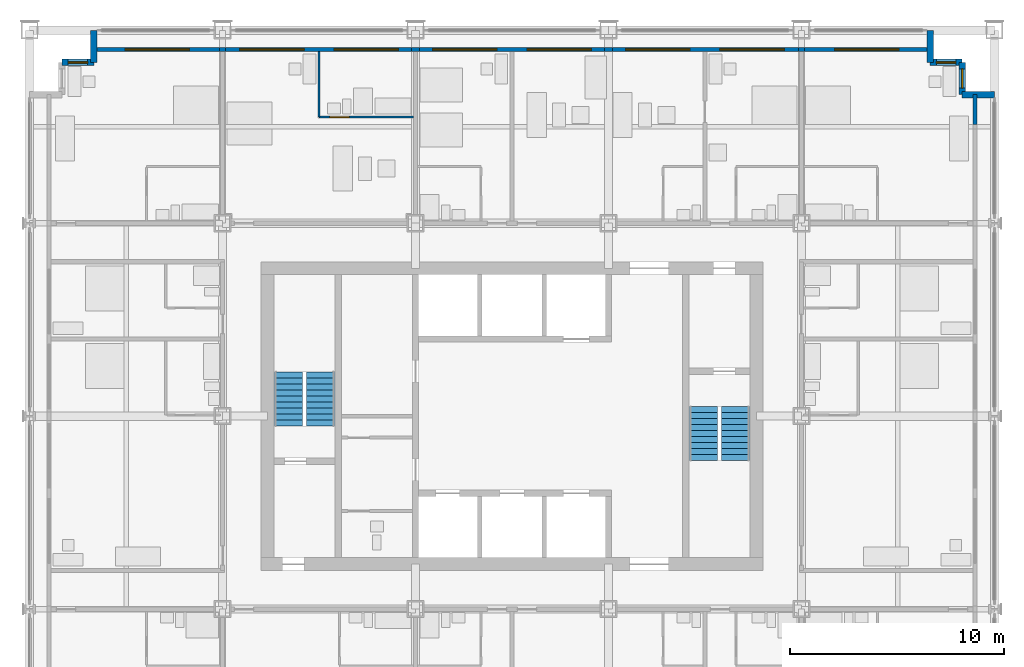
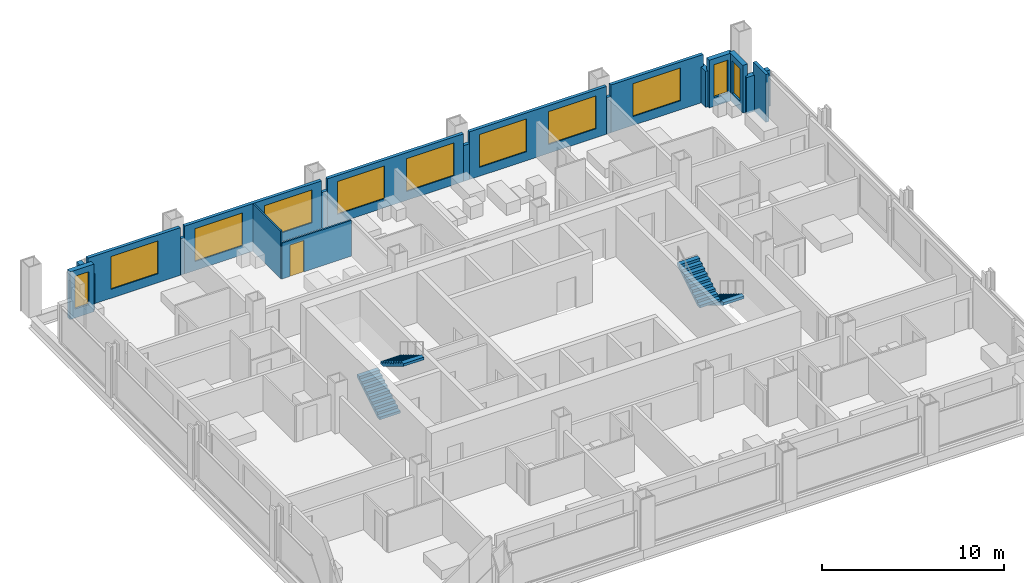
# One storey, part 13 of 16: 18 walls, 11 windows, 4 stair flights, 1 door, 12 openings, 2 elements without a shape of their own.
"""IFC4 building model written with IfcOpenShell, lengths in metres."""

from ifc_helpers import new_model, si_unit, direction, frame, frame_2d, origin, place, context, subcontext, project, spatial, polyline, rectangle, outline, extrude, material, layer, layer_set, type_object, element, fill, aggregate, save


model = new_model("IFC4")

# Units and contexts
model_context = context("Model", 3, precision=1e-05, world=origin(), true_north=direction((0.0, 1.0)))
body_context = subcontext(model_context, "Body", "Model", "MODEL_VIEW")
ifc_project = project(units=[si_unit("LENGTHUNIT", "METRE"), si_unit("AREAUNIT", "SQUARE_METRE"), si_unit("VOLUMEUNIT", "CUBIC_METRE"), si_unit("PLANEANGLEUNIT", "RADIAN"), si_unit("MASSUNIT", "GRAM", prefix="KILO")], contexts=[model_context])

# Site, building, storey
site_placement = place(None, origin())
site = spatial("IfcSite", under=ifc_project, at=site_placement, CompositionType="ELEMENT")
building_placement = place(site_placement, origin())
building = spatial("IfcBuilding", under=site, at=building_placement, Name="Loomwork Tower", CompositionType="ELEMENT")
storey_placement = place(building_placement, frame((0.0, 0.0, 148.60009765625)))
storey = spatial("IfcBuildingStorey", under=building, at=storey_placement, Name="L40", CompositionType="ELEMENT", Elevation=148.60009765625)

# Wall, opening, door
ifc_material_1 = material(Name="Cement board on steel studs", Category="steel")
ifc_layer_1 = layer(ifc_material_1, 0.10009765625)
ifc_layer_set_1 = layer_set([ifc_layer_1], Name="En-suite partition 100")
wall_type_1 = type_object("IfcWallType", Name="En-suite partition 100", PredefinedType="PARTITIONING", material=ifc_layer_set_1)
wall_1_placement = place(storey_placement, frame((13.5, 31.949951171875, 0.0), z_axis=(0.0, 0.0, 1.0), x_axis=(1.0, 0.0, 0.0)))
wall_1 = element("IfcWall", 1, at=wall_1_placement, inside=storey, type_object=wall_type_1, Name="Spa bathroom wall L40 room 8", PredefinedType="PARTITIONING", context=body_context, shape_type="SweptSolid", body=[
    extrude(rectangle(XDim=4.39990234375, YDim=0.10009765625, at=frame_2d((2.199951171875, 0.0))), origin(), (0.0, 0.0, 1.0), 2.40380859375),
])
opening_1_placement = place(wall_1_placement, frame((0.5, 0.0, 0.0)))
opening_1 = element("IfcOpeningElement", 2, at=opening_1_placement, cuts=wall_1, Name="Opening D2", PredefinedType="OPENING", context=body_context, shape_type="SweptSolid", body=[
    extrude(rectangle(XDim=0.89990234375, YDim=2.10009765625, at=frame_2d((0.449951171875, 1.050048828125))), frame((0.0, 0.06005859375, 0.0), z_axis=(0.0, -1.0, 0.0), x_axis=(1.0, 0.0, 0.0)), (0.0, 0.0, 1.0), 0.1201171875),
])
ifc_material_2 = material(Name="Hollow metal door and frame")
door_type = type_object("IfcDoorType", Name="En-suite door 900", OperationType="SINGLE_SWING_LEFT", PredefinedType="DOOR", material=ifc_material_2)
door_placement = place(opening_1_placement, origin())
door = element("IfcDoor", 3, at=door_placement, inside=storey, type_object=door_type, Name="Spa bathroom door room 8", OperationType="SINGLE_SWING_LEFT", OverallHeight=2.10009765625, OverallWidth=0.89990234375, PredefinedType="DOOR", context=body_context, shape_type="SweptSolid", body=[
    extrude(rectangle(XDim=0.89990234375, YDim=2.10009765625, at=frame_2d((0.449951171875, 1.050048828125))), frame((0.0, 0.02490234375, 0.0), z_axis=(0.0, -1.0, 0.0), x_axis=(1.0, 0.0, 0.0)), (0.0, 0.0, 1.0), 0.050048828125),
])
fill(opening_1, door)

# Wall
wall_2_placement = place(storey_placement, frame((13.5, 31.949951171875, 0.0), z_axis=(0.0, 0.0, 1.0), x_axis=(0.0, 1.0, 0.0)))
element("IfcWall", 4, at=wall_2_placement, inside=storey, type_object=wall_type_1, Name="Spa bathroom side wall L40 room 8", PredefinedType="PARTITIONING", context=body_context, shape_type="SweptSolid", body=[
    extrude(rectangle(XDim=3.050048828125, YDim=0.10009765625, at=frame_2d((1.52490234375, 0.0))), origin(), (0.0, 0.0, 1.0), 3.199951171875),
])

# Wall, opening, window
ifc_material_3 = material(Name="Insulated steel stud wall with gypsum lining", Category="steel")
ifc_layer_2 = layer(ifc_material_3, 0.199951171875)
ifc_layer_set_2 = layer_set([ifc_layer_2], Name="Inner skin wall 200")
wall_type_2 = type_object("IfcWallType", Name="Inner skin wall 200", PredefinedType="SOLIDWALL", material=ifc_layer_set_2)
wall_3_placement = place(storey_placement, frame((3.0, 35.10009765625, 0.0), z_axis=(0.0, 0.0, 1.0), x_axis=(1.0, 0.0, 0.0)))
wall_3 = element("IfcWall", 5, at=wall_3_placement, inside=storey, type_object=wall_type_2, Name="Inner skin wall N", PredefinedType="SOLIDWALL", context=body_context, shape_type="SweptSolid", body=[
    extrude(rectangle(XDim=5.86474609375, YDim=0.199951171875, at=frame_2d((2.932373046875, 0.0))), origin(), (0.0, 0.0, 1.0), 3.199951171875),
])
opening_2_placement = place(wall_3_placement, frame((1.449951171875, 0.0, 0.60009765625)))
opening_2 = element("IfcOpeningElement", 6, at=opening_2_placement, cuts=wall_3, Name="Opening CH1", PredefinedType="OPENING", context=body_context, shape_type="SweptSolid", body=[
    extrude(rectangle(XDim=3.0, YDim=2.199951171875, at=frame_2d((1.5, 1.10009765625))), frame((0.0, 0.10986328125, 0.0), z_axis=(0.0, -1.0, 0.0), x_axis=(1.0, 0.0, 0.0)), (0.0, 0.0, 1.0), 0.219970703125),
])
ifc_material_4 = material(Name="Aluminium frame with clear insulated glass", Category="aluminium")
window_type_1 = type_object("IfcWindowType", Name="Chicago window 3000", PartitioningType="TRIPLE_PANEL_VERTICAL", PredefinedType="WINDOW", material=ifc_material_4)
window_1_placement = place(opening_2_placement, origin())
window_1 = element("IfcWindow", 7, at=window_1_placement, inside=storey, type_object=window_type_1, Name="Chicago window L40 bay 6", OverallHeight=2.199951171875, OverallWidth=3.0, PartitioningType="TRIPLE_PANEL_VERTICAL", PredefinedType="WINDOW", context=body_context, shape_type="SweptSolid", body=[
    extrude(rectangle(XDim=3.0, YDim=2.199951171875, at=frame_2d((1.5, 1.10009765625))), frame((0.0, 0.030029296875, 0.0), z_axis=(0.0, -1.0, 0.0), x_axis=(1.0, 0.0, 0.0)), (0.0, 0.0, 1.0), 0.06005859375),
])
fill(opening_2, window_1)

# Wall
wall_4_placement = place(storey_placement, frame((8.86474609375, 35.10009765625, 0.0), z_axis=(0.0, 0.0, 1.0), x_axis=(1.0, 0.0, 0.0)))
element("IfcWall", 8, at=wall_4_placement, inside=storey, type_object=wall_type_2, Name="Inner skin wall N bay 2", PredefinedType="SOLIDWALL", context=body_context, shape_type="SweptSolid", body=[
    extrude(rectangle(XDim=0.2705078125, YDim=0.199951171875, at=frame_2d((0.13525390625, 0.0))), origin(), (0.0, 0.0, 1.0), 2.43798828125),
])

# Wall, openings, windows
wall_5_placement = place(storey_placement, frame((9.13525390625, 35.10009765625, 0.0), z_axis=(0.0, 0.0, 1.0), x_axis=(1.0, 0.0, 0.0)))
wall_5 = element("IfcWall", 9, at=wall_5_placement, inside=storey, type_object=wall_type_2, Name="Inner skin wall N bay 3", PredefinedType="SOLIDWALL", context=body_context, shape_type="SweptSolid", body=[
    extrude(rectangle(XDim=8.6708984375, YDim=0.199951171875, at=frame_2d((4.33544921875, 0.0))), origin(), (0.0, 0.0, 1.0), 3.199951171875),
])
opening_3_placement = place(wall_5_placement, frame((0.664794921875, 0.0, 0.60009765625)))
opening_3 = element("IfcOpeningElement", 10, at=opening_3_placement, cuts=wall_5, Name="Opening CH1", PredefinedType="OPENING", context=body_context, shape_type="SweptSolid", body=[
    extrude(rectangle(XDim=3.0, YDim=2.199951171875, at=frame_2d((1.5, 1.10009765625))), frame((0.0, 0.10986328125, 0.0), z_axis=(0.0, -1.0, 0.0), x_axis=(1.0, 0.0, 0.0)), (0.0, 0.0, 1.0), 0.219970703125),
])
opening_4_placement = place(wall_5_placement, frame((5.064697265625, 0.0, 0.60009765625)))
opening_4 = element("IfcOpeningElement", 11, at=opening_4_placement, cuts=wall_5, Name="Opening CH1", PredefinedType="OPENING", context=body_context, shape_type="SweptSolid", body=[
    extrude(rectangle(XDim=3.0, YDim=2.199951171875, at=frame_2d((1.5, 1.10009765625))), frame((0.0, 0.10986328125, 0.0), z_axis=(0.0, -1.0, 0.0), x_axis=(1.0, 0.0, 0.0)), (0.0, 0.0, 1.0), 0.219970703125),
])
window_2_placement = place(opening_3_placement, origin())
window_2 = element("IfcWindow", 12, at=window_2_placement, inside=storey, type_object=window_type_1, Name="Chicago window L40 bay 7", OverallHeight=2.199951171875, OverallWidth=3.0, PartitioningType="TRIPLE_PANEL_VERTICAL", PredefinedType="WINDOW", context=body_context, shape_type="SweptSolid", body=[
    extrude(rectangle(XDim=3.0, YDim=2.199951171875, at=frame_2d((1.5, 1.10009765625))), frame((0.0, 0.030029296875, 0.0), z_axis=(0.0, -1.0, 0.0), x_axis=(1.0, 0.0, 0.0)), (0.0, 0.0, 1.0), 0.06005859375),
])
fill(opening_3, window_2)
window_3_placement = place(opening_4_placement, origin())
window_3 = element("IfcWindow", 13, at=window_3_placement, inside=storey, type_object=window_type_1, Name="Chicago window L40 bay 7", OverallHeight=2.199951171875, OverallWidth=3.0, PartitioningType="TRIPLE_PANEL_VERTICAL", PredefinedType="WINDOW", context=body_context, shape_type="SweptSolid", body=[
    extrude(rectangle(XDim=3.0, YDim=2.199951171875, at=frame_2d((1.5, 1.10009765625))), frame((0.0, 0.030029296875, 0.0), z_axis=(0.0, -1.0, 0.0), x_axis=(1.0, 0.0, 0.0)), (0.0, 0.0, 1.0), 0.06005859375),
])
fill(opening_4, window_3)

# Wall
wall_6_placement = place(storey_placement, frame((17.80615234375, 35.10009765625, 0.0), z_axis=(0.0, 0.0, 1.0), x_axis=(1.0, 0.0, 0.0)))
element("IfcWall", 14, at=wall_6_placement, inside=storey, type_object=wall_type_2, Name="Inner skin wall N bay 4", PredefinedType="SOLIDWALL", context=body_context, shape_type="SweptSolid", body=[
    extrude(rectangle(XDim=0.3876953125, YDim=0.199951171875, at=frame_2d((0.19384765625, 0.0))), origin(), (0.0, 0.0, 1.0), 2.40380859375),
])

# Wall, openings, windows
wall_7_placement = place(storey_placement, frame((18.19384765625, 35.10009765625, 0.0), z_axis=(0.0, 0.0, 1.0), x_axis=(1.0, 0.0, 0.0)))
wall_7 = element("IfcWall", 15, at=wall_7_placement, inside=storey, type_object=wall_type_2, Name="Inner skin wall N bay 5", PredefinedType="SOLIDWALL", context=body_context, shape_type="SweptSolid", body=[
    extrude(rectangle(XDim=8.6123046875, YDim=0.199951171875, at=frame_2d((4.30615234375, 0.0))), origin(), (0.0, 0.0, 1.0), 3.199951171875),
])
opening_5_placement = place(wall_7_placement, frame((0.606201171875, 0.0, 0.60009765625)))
opening_5 = element("IfcOpeningElement", 16, at=opening_5_placement, cuts=wall_7, Name="Opening CH1", PredefinedType="OPENING", context=body_context, shape_type="SweptSolid", body=[
    extrude(rectangle(XDim=3.0, YDim=2.199951171875, at=frame_2d((1.5, 1.10009765625))), frame((0.0, 0.10986328125, 0.0), z_axis=(0.0, -1.0, 0.0), x_axis=(1.0, 0.0, 0.0)), (0.0, 0.0, 1.0), 0.219970703125),
])
opening_6_placement = place(wall_7_placement, frame((5.006103515625, 0.0, 0.60009765625)))
opening_6 = element("IfcOpeningElement", 17, at=opening_6_placement, cuts=wall_7, Name="Opening CH1", PredefinedType="OPENING", context=body_context, shape_type="SweptSolid", body=[
    extrude(rectangle(XDim=3.0, YDim=2.199951171875, at=frame_2d((1.5, 1.10009765625))), frame((0.0, 0.10986328125, 0.0), z_axis=(0.0, -1.0, 0.0), x_axis=(1.0, 0.0, 0.0)), (0.0, 0.0, 1.0), 0.219970703125),
])
window_4_placement = place(opening_5_placement, origin())
window_4 = element("IfcWindow", 18, at=window_4_placement, inside=storey, type_object=window_type_1, Name="Chicago window L40 bay 8", OverallHeight=2.199951171875, OverallWidth=3.0, PartitioningType="TRIPLE_PANEL_VERTICAL", PredefinedType="WINDOW", context=body_context, shape_type="SweptSolid", body=[
    extrude(rectangle(XDim=3.0, YDim=2.199951171875, at=frame_2d((1.5, 1.10009765625))), frame((0.0, 0.030029296875, 0.0), z_axis=(0.0, -1.0, 0.0), x_axis=(1.0, 0.0, 0.0)), (0.0, 0.0, 1.0), 0.06005859375),
])
fill(opening_5, window_4)
window_5_placement = place(opening_6_placement, origin())
window_5 = element("IfcWindow", 19, at=window_5_placement, inside=storey, type_object=window_type_1, Name="Chicago window L40 bay 8", OverallHeight=2.199951171875, OverallWidth=3.0, PartitioningType="TRIPLE_PANEL_VERTICAL", PredefinedType="WINDOW", context=body_context, shape_type="SweptSolid", body=[
    extrude(rectangle(XDim=3.0, YDim=2.199951171875, at=frame_2d((1.5, 1.10009765625))), frame((0.0, 0.030029296875, 0.0), z_axis=(0.0, -1.0, 0.0), x_axis=(1.0, 0.0, 0.0)), (0.0, 0.0, 1.0), 0.06005859375),
])
fill(opening_6, window_5)

# Wall
wall_8_placement = place(storey_placement, frame((26.80615234375, 35.10009765625, 0.0), z_axis=(0.0, 0.0, 1.0), x_axis=(1.0, 0.0, 0.0)))
element("IfcWall", 20, at=wall_8_placement, inside=storey, type_object=wall_type_2, Name="Inner skin wall N bay 6", PredefinedType="SOLIDWALL", context=body_context, shape_type="SweptSolid", body=[
    extrude(rectangle(XDim=0.3876953125, YDim=0.199951171875, at=frame_2d((0.19384765625, 0.0))), origin(), (0.0, 0.0, 1.0), 2.40380859375),
])

# Wall, openings, windows
wall_9_placement = place(storey_placement, frame((27.19384765625, 35.10009765625, 0.0), z_axis=(0.0, 0.0, 1.0), x_axis=(1.0, 0.0, 0.0)))
wall_9 = element("IfcWall", 21, at=wall_9_placement, inside=storey, type_object=wall_type_2, Name="Inner skin wall N bay 7", PredefinedType="SOLIDWALL", context=body_context, shape_type="SweptSolid", body=[
    extrude(rectangle(XDim=8.670654296875, YDim=0.199951171875, at=frame_2d((4.33544921875, 0.0))), origin(), (0.0, 0.0, 1.0), 3.199951171875),
])
opening_7_placement = place(wall_9_placement, frame((0.606201171875, 0.0, 0.60009765625)))
opening_7 = element("IfcOpeningElement", 22, at=opening_7_placement, cuts=wall_9, Name="Opening CH1", PredefinedType="OPENING", context=body_context, shape_type="SweptSolid", body=[
    extrude(rectangle(XDim=3.0, YDim=2.199951171875, at=frame_2d((1.5, 1.10009765625))), frame((0.0, 0.10986328125, 0.0), z_axis=(0.0, -1.0, 0.0), x_axis=(1.0, 0.0, 0.0)), (0.0, 0.0, 1.0), 0.219970703125),
])
opening_8_placement = place(wall_9_placement, frame((5.006103515625, 0.0, 0.60009765625)))
opening_8 = element("IfcOpeningElement", 23, at=opening_8_placement, cuts=wall_9, Name="Opening CH1", PredefinedType="OPENING", context=body_context, shape_type="SweptSolid", body=[
    extrude(rectangle(XDim=3.0, YDim=2.199951171875, at=frame_2d((1.5, 1.10009765625))), frame((0.0, 0.10986328125, 0.0), z_axis=(0.0, -1.0, 0.0), x_axis=(1.0, 0.0, 0.0)), (0.0, 0.0, 1.0), 0.219970703125),
])
window_6_placement = place(opening_7_placement, origin())
window_6 = element("IfcWindow", 24, at=window_6_placement, inside=storey, type_object=window_type_1, Name="Chicago window L40 bay 9", OverallHeight=2.199951171875, OverallWidth=3.0, PartitioningType="TRIPLE_PANEL_VERTICAL", PredefinedType="WINDOW", context=body_context, shape_type="SweptSolid", body=[
    extrude(rectangle(XDim=3.0, YDim=2.199951171875, at=frame_2d((1.5, 1.10009765625))), frame((0.0, 0.030029296875, 0.0), z_axis=(0.0, -1.0, 0.0), x_axis=(1.0, 0.0, 0.0)), (0.0, 0.0, 1.0), 0.06005859375),
])
fill(opening_7, window_6)
window_7_placement = place(opening_8_placement, origin())
window_7 = element("IfcWindow", 25, at=window_7_placement, inside=storey, type_object=window_type_1, Name="Chicago window L40 bay 9", OverallHeight=2.199951171875, OverallWidth=3.0, PartitioningType="TRIPLE_PANEL_VERTICAL", PredefinedType="WINDOW", context=body_context, shape_type="SweptSolid", body=[
    extrude(rectangle(XDim=3.0, YDim=2.199951171875, at=frame_2d((1.5, 1.10009765625))), frame((0.0, 0.030029296875, 0.0), z_axis=(0.0, -1.0, 0.0), x_axis=(1.0, 0.0, 0.0)), (0.0, 0.0, 1.0), 0.06005859375),
])
fill(opening_8, window_7)

# Wall
wall_10_placement = place(storey_placement, frame((35.864501953125, 35.10009765625, 0.0), z_axis=(0.0, 0.0, 1.0), x_axis=(1.0, 0.0, 0.0)))
element("IfcWall", 26, at=wall_10_placement, inside=storey, type_object=wall_type_2, Name="Inner skin wall N bay 8", PredefinedType="SOLIDWALL", context=body_context, shape_type="SweptSolid", body=[
    extrude(rectangle(XDim=0.27099609375, YDim=0.199951171875, at=frame_2d((0.135498046875, 0.0))), origin(), (0.0, 0.0, 1.0), 2.43798828125),
])

# Wall, opening, window
wall_11_placement = place(storey_placement, frame((36.135498046875, 35.10009765625, 0.0), z_axis=(0.0, 0.0, 1.0), x_axis=(1.0, 0.0, 0.0)))
wall_11 = element("IfcWall", 27, at=wall_11_placement, inside=storey, type_object=wall_type_2, Name="Inner skin wall N bay 9", PredefinedType="SOLIDWALL", context=body_context, shape_type="SweptSolid", body=[
    extrude(rectangle(XDim=5.864501953125, YDim=0.199951171875, at=frame_2d((2.93212890625, 0.0))), origin(), (0.0, 0.0, 1.0), 3.199951171875),
])
opening_9_placement = place(wall_11_placement, frame((1.41455078125, 0.0, 0.60009765625)))
opening_9 = element("IfcOpeningElement", 28, at=opening_9_placement, cuts=wall_11, Name="Opening CH1", PredefinedType="OPENING", context=body_context, shape_type="SweptSolid", body=[
    extrude(rectangle(XDim=3.0, YDim=2.199951171875, at=frame_2d((1.5, 1.10009765625))), frame((0.0, 0.10986328125, 0.0), z_axis=(0.0, -1.0, 0.0), x_axis=(1.0, 0.0, 0.0)), (0.0, 0.0, 1.0), 0.219970703125),
])
window_8_placement = place(opening_9_placement, origin())
window_8 = element("IfcWindow", 29, at=window_8_placement, inside=storey, type_object=window_type_1, Name="Chicago window L40 bay 10", OverallHeight=2.199951171875, OverallWidth=3.0, PartitioningType="TRIPLE_PANEL_VERTICAL", PredefinedType="WINDOW", context=body_context, shape_type="SweptSolid", body=[
    extrude(rectangle(XDim=3.0, YDim=2.199951171875, at=frame_2d((1.5, 1.10009765625))), frame((0.0, 0.030029296875, 0.0), z_axis=(0.0, -1.0, 0.0), x_axis=(1.0, 0.0, 0.0)), (0.0, 0.0, 1.0), 0.06005859375),
])
fill(opening_9, window_8)

# Walls
wall_12_placement = place(storey_placement, frame((44.10009765625, 31.607421875, 0.0), z_axis=(0.0, 0.0, 1.0), x_axis=(0.0, 1.0, 0.0)))
element("IfcWall", 30, at=wall_12_placement, inside=storey, type_object=wall_type_2, Name="Inner skin wall E bay 11", PredefinedType="SOLIDWALL", context=body_context, shape_type="SweptSolid", body=[
    extrude(rectangle(XDim=1.392578125, YDim=0.199951171875, at=frame_2d((0.6962890625, 0.0))), origin(), (0.0, 0.0, 1.0), 3.199951171875),
])
ifc_material_5 = material(Name="Limestone on concrete masonry", Category="masonry")
ifc_layer_3 = layer(ifc_material_5, 0.300048828125)
ifc_layer_set_3 = layer_set([ifc_layer_3], Name="Limestone corner wall 300")
wall_type_3 = type_object("IfcWallType", Name="Limestone corner wall 300", PredefinedType="SOLIDWALL", material=ifc_layer_set_3)
wall_13_placement = place(storey_placement, frame((45.0, 33.0, 0.0), z_axis=(0.0, 0.0, 1.0), x_axis=(-1.0, 0.0, 0.0)))
element("IfcWall", 31, at=wall_13_placement, inside=storey, type_object=wall_type_3, Name="Stone corner wall NE 1", PredefinedType="SOLIDWALL", context=body_context, shape_type="SweptSolid", body=[
    extrude(rectangle(XDim=1.5, YDim=0.300048828125, at=frame_2d((0.75, 0.0))), origin(), (0.0, 0.0, 1.0), 2.419921875),
])

# Wall, opening, window
wall_14_placement = place(storey_placement, frame((43.5, 33.0, 0.0), z_axis=(0.0, 0.0, 1.0), x_axis=(0.0, 1.0, 0.0)))
wall_14 = element("IfcWall", 32, at=wall_14_placement, inside=storey, type_object=wall_type_3, Name="Stone corner wall NE 2", PredefinedType="SOLIDWALL", context=body_context, shape_type="SweptSolid", body=[
    extrude(rectangle(XDim=1.5, YDim=0.300048828125, at=frame_2d((0.75, 0.0))), origin(), (0.0, 0.0, 1.0), 3.199951171875),
])
opening_10_placement = place(wall_14_placement, frame((0.300048828125, 0.0, 0.60009765625)))
opening_10 = element("IfcOpeningElement", 33, at=opening_10_placement, cuts=wall_14, Name="Opening CH2", PredefinedType="OPENING", context=body_context, shape_type="SweptSolid", body=[
    extrude(rectangle(XDim=0.89990234375, YDim=2.199951171875, at=frame_2d((0.449951171875, 1.10009765625))), frame((0.0, 0.159912109375, 0.0), z_axis=(0.0, -1.0, 0.0), x_axis=(1.0, 0.0, 0.0)), (0.0, 0.0, 1.0), 0.320068359375),
])
ifc_material_6 = material(Name="Aluminium frame with clear insulated glass", Category="aluminium")
window_type_2 = type_object("IfcWindowType", Name="Corner window 900", PartitioningType="SINGLE_PANEL", PredefinedType="WINDOW", material=ifc_material_6)
window_9_placement = place(opening_10_placement, origin())
window_9 = element("IfcWindow", 34, at=window_9_placement, inside=storey, type_object=window_type_2, Name="Corner window NE", OverallHeight=2.199951171875, OverallWidth=0.89990234375, PartitioningType="SINGLE_PANEL", PredefinedType="WINDOW", context=body_context, shape_type="SweptSolid", body=[
    extrude(rectangle(XDim=0.89990234375, YDim=2.199951171875, at=frame_2d((0.449951171875, 1.10009765625))), frame((0.0, 0.030029296875, 0.0), z_axis=(0.0, -1.0, 0.0), x_axis=(1.0, 0.0, 0.0)), (0.0, 0.0, 1.0), 0.06005859375),
])
fill(opening_10, window_9)

wall_15_placement = place(storey_placement, frame((43.5, 34.5, 0.0), z_axis=(0.0, 0.0, 1.0), x_axis=(-1.0, 0.0, 0.0)))
wall_15 = element("IfcWall", 35, at=wall_15_placement, inside=storey, type_object=wall_type_3, Name="Stone corner wall NE 3", PredefinedType="SOLIDWALL", context=body_context, shape_type="SweptSolid", body=[
    extrude(rectangle(XDim=1.5, YDim=0.300048828125, at=frame_2d((0.75, 0.0))), origin(), (0.0, 0.0, 1.0), 3.199951171875),
])
opening_11_placement = place(wall_15_placement, frame((0.300048828125, 0.0, 0.60009765625)))
opening_11 = element("IfcOpeningElement", 36, at=opening_11_placement, cuts=wall_15, Name="Opening CH2", PredefinedType="OPENING", context=body_context, shape_type="SweptSolid", body=[
    extrude(rectangle(XDim=0.89990234375, YDim=2.199951171875, at=frame_2d((0.449951171875, 1.10009765625))), frame((0.0, 0.159912109375, 0.0), z_axis=(0.0, -1.0, 0.0), x_axis=(1.0, 0.0, 0.0)), (0.0, 0.0, 1.0), 0.320068359375),
])
window_10_placement = place(opening_11_placement, origin())
window_10 = element("IfcWindow", 37, at=window_10_placement, inside=storey, type_object=window_type_2, Name="Corner window NE", OverallHeight=2.199951171875, OverallWidth=0.89990234375, PartitioningType="SINGLE_PANEL", PredefinedType="WINDOW", context=body_context, shape_type="SweptSolid", body=[
    extrude(rectangle(XDim=0.89990234375, YDim=2.199951171875, at=frame_2d((0.449951171875, 1.10009765625))), frame((0.0, 0.030029296875, 0.0), z_axis=(0.0, -1.0, 0.0), x_axis=(1.0, 0.0, 0.0)), (0.0, 0.0, 1.0), 0.06005859375),
])
fill(opening_11, window_10)

# Walls
for number, where, z_axis, x_axis, name in (
    (38, (42.0, 34.5, 0.0), (0.0, 0.0, 1.0), (0.0, 1.0, 0.0), "Stone corner wall NE 4"),
    (39, (3.0, 36.0, 0.0), (0.0, 0.0, 1.0), (0.0, -1.0, 0.0), "Stone corner wall NW 1"),
):
    element("IfcWall", number, at=place(storey_placement, frame(where, z_axis=z_axis, x_axis=x_axis)), inside=storey, type_object=wall_type_3, Name=name, PredefinedType="SOLIDWALL", context=body_context, shape_type="SweptSolid", body=[
        extrude(rectangle(XDim=1.5, YDim=0.300048828125, at=frame_2d((0.75, 0.0))), origin(), (0.0, 0.0, 1.0), 2.419921875),
    ])

# Wall, opening, window
wall_16_placement = place(storey_placement, frame((3.0, 34.5, 0.0), z_axis=(0.0, 0.0, 1.0), x_axis=(-1.0, 0.0, 0.0)))
wall_16 = element("IfcWall", 40, at=wall_16_placement, inside=storey, type_object=wall_type_3, Name="Stone corner wall NW 2", PredefinedType="SOLIDWALL", context=body_context, shape_type="SweptSolid", body=[
    extrude(rectangle(XDim=1.5, YDim=0.300048828125, at=frame_2d((0.75, 0.0))), origin(), (0.0, 0.0, 1.0), 3.199951171875),
])
opening_12_placement = place(wall_16_placement, frame((0.300048828125, 0.0, 0.60009765625)))
opening_12 = element("IfcOpeningElement", 41, at=opening_12_placement, cuts=wall_16, Name="Opening CH2", PredefinedType="OPENING", context=body_context, shape_type="SweptSolid", body=[
    extrude(rectangle(XDim=0.89990234375, YDim=2.199951171875, at=frame_2d((0.449951171875, 1.10009765625))), frame((0.0, 0.159912109375, 0.0), z_axis=(0.0, -1.0, 0.0), x_axis=(1.0, 0.0, 0.0)), (0.0, 0.0, 1.0), 0.320068359375),
])
window_11_placement = place(opening_12_placement, origin())
window_11 = element("IfcWindow", 42, at=window_11_placement, inside=storey, type_object=window_type_2, Name="Corner window NW", OverallHeight=2.199951171875, OverallWidth=0.89990234375, PartitioningType="SINGLE_PANEL", PredefinedType="WINDOW", context=body_context, shape_type="SweptSolid", body=[
    extrude(rectangle(XDim=0.89990234375, YDim=2.199951171875, at=frame_2d((0.449951171875, 1.10009765625))), frame((0.0, 0.030029296875, 0.0), z_axis=(0.0, -1.0, 0.0), x_axis=(1.0, 0.0, 0.0)), (0.0, 0.0, 1.0), 0.06005859375),
])
fill(opening_12, window_11)

# Stair, stair flights
ifc_material_7 = material(Name="Concrete 5000 psi (34 MPa) precast stair", Category="concrete")
stair_type_1 = type_object("IfcStairType", Name="Stair ST-A 20 risers 2850 wide", PredefinedType="HALF_TURN_STAIR", material=ifc_material_7)
stair_1_placement = place(storey_placement, origin())
stair_1 = element("IfcStair", 43, at=stair_1_placement, inside=storey, type_object=stair_type_1, Name="Stair A L40", PredefinedType="HALF_TURN_STAIR")
ifc_material_8 = material(Name="Concrete 5000 psi (34 MPa) precast stair", Category="concrete")
stair_flight_type_1 = type_object("IfcStairFlightType", Name="Stair flight ST-A 10 risers 1300 wide", PredefinedType="STRAIGHT", material=ifc_material_8)
stair_flight_1_placement = place(storey_placement, frame((12.074951171875, 17.550048828125, 0.0), z_axis=(0.0, 0.0, 1.0), x_axis=(0.0, 1.0, 0.0)))
stair_flight_1 = element("IfcStairFlight", 44, at=stair_flight_1_placement, type_object=stair_flight_type_1, Name="ST-A flight 1", NumberOfRisers=10, NumberOfTreads=9, PredefinedType="STRAIGHT", RiserHeight=0.17, TreadLength=0.28, context=body_context, shape_type="SweptSolid", body=[
    extrude(outline(polyline([(0.0, 0.0), (0.0, 0.169921875), (0.280029296875, 0.169921875), (0.280029296875, 0.340087890625), (0.56005859375, 0.340087890625), (0.56005859375, 0.510009765625), (0.840087890625, 0.510009765625), (0.840087890625, 0.679931640625), (1.1201171875, 0.679931640625), (1.1201171875, 0.85009765625), (1.39990234375, 0.85009765625), (1.39990234375, 1.02001953125), (1.679931640625, 1.02001953125), (1.679931640625, 1.18994140625), (1.9599609375, 1.18994140625), (1.9599609375, 1.360107421875), (2.239990234375, 1.360107421875), (2.239990234375, 1.530029296875), (2.52001953125, 1.530029296875), (2.52001953125, 1.699951171875), (2.52001953125, 1.354736328125), (0.288818359375, 0.0), (0.0, 0.0)])), frame((0.0, 0.64990234375, 0.0), z_axis=(0.0, -1.0, 0.0), x_axis=(1.0, 0.0, 0.0)), (0.0, 0.0, 1.0), 1.300048828125),
])
stair_flight_2_placement = place(storey_placement, frame((13.574951171875, 20.070068359375, 1.699951171875), z_axis=(0.0, 0.0, 1.0), x_axis=(0.0, -1.0, 0.0)))
stair_flight_2 = element("IfcStairFlight", 45, at=stair_flight_2_placement, type_object=stair_flight_type_1, Name="ST-A flight 2", NumberOfRisers=10, NumberOfTreads=9, PredefinedType="STRAIGHT", RiserHeight=0.17, TreadLength=0.28, context=body_context, shape_type="SweptSolid", body=[
    extrude(outline(polyline([(0.0, 0.0), (0.0, 0.169921875), (0.280029296875, 0.169921875), (0.280029296875, 0.340087890625), (0.56005859375, 0.340087890625), (0.56005859375, 0.510009765625), (0.840087890625, 0.510009765625), (0.840087890625, 0.679931640625), (1.1201171875, 0.679931640625), (1.1201171875, 0.85009765625), (1.39990234375, 0.85009765625), (1.39990234375, 1.02001953125), (1.679931640625, 1.02001953125), (1.679931640625, 1.18994140625), (1.9599609375, 1.18994140625), (1.9599609375, 1.360107421875), (2.239990234375, 1.360107421875), (2.239990234375, 1.530029296875), (2.52001953125, 1.530029296875), (2.52001953125, 1.699951171875), (2.52001953125, 1.354736328125), (0.288818359375, 0.0), (0.0, 0.0)])), frame((0.0, 0.64990234375, 0.0), z_axis=(0.0, -1.0, 0.0), x_axis=(1.0, 0.0, 0.0)), (0.0, 0.0, 1.0), 1.300048828125),
])
aggregate(stair_1, [stair_flight_1, stair_flight_2])

ifc_material_9 = material(Name="Concrete 5000 psi (34 MPa) precast stair", Category="concrete")
stair_type_2 = type_object("IfcStairType", Name="Stair ST-B 20 risers 2850 wide", PredefinedType="HALF_TURN_STAIR", material=ifc_material_9)
stair_2_placement = place(storey_placement, origin())
stair_2 = element("IfcStair", 46, at=stair_2_placement, inside=storey, type_object=stair_type_2, Name="Stair B L40", PredefinedType="HALF_TURN_STAIR")
ifc_material_10 = material(Name="Concrete 5000 psi (34 MPa) precast stair", Category="concrete")
stair_flight_type_2 = type_object("IfcStairFlightType", Name="Stair flight ST-B 10 risers 1300 wide", PredefinedType="STRAIGHT", material=ifc_material_10)
stair_flight_3_placement = place(storey_placement, frame((32.925048828125, 18.449951171875, 0.0), z_axis=(0.0, 0.0, 1.0), x_axis=(0.0, -1.0, 0.0)))
stair_flight_3 = element("IfcStairFlight", 47, at=stair_flight_3_placement, type_object=stair_flight_type_2, Name="ST-B flight 1", NumberOfRisers=10, NumberOfTreads=9, PredefinedType="STRAIGHT", RiserHeight=0.17, TreadLength=0.28, context=body_context, shape_type="SweptSolid", body=[
    extrude(outline(polyline([(0.0, 0.0), (0.0, 0.169921875), (0.280029296875, 0.169921875), (0.280029296875, 0.340087890625), (0.56005859375, 0.340087890625), (0.56005859375, 0.510009765625), (0.840087890625, 0.510009765625), (0.840087890625, 0.679931640625), (1.1201171875, 0.679931640625), (1.1201171875, 0.85009765625), (1.39990234375, 0.85009765625), (1.39990234375, 1.02001953125), (1.679931640625, 1.02001953125), (1.679931640625, 1.18994140625), (1.9599609375, 1.18994140625), (1.9599609375, 1.360107421875), (2.239990234375, 1.360107421875), (2.239990234375, 1.530029296875), (2.52001953125, 1.530029296875), (2.52001953125, 1.699951171875), (2.52001953125, 1.354736328125), (0.288818359375, 0.0), (0.0, 0.0)])), frame((0.0, 0.64990234375, 0.0), z_axis=(0.0, -1.0, 0.0), x_axis=(1.0, 0.0, 0.0)), (0.0, 0.0, 1.0), 1.300048828125),
])
stair_flight_4_placement = place(storey_placement, frame((31.425048828125, 15.929931640625, 1.699951171875), z_axis=(0.0, 0.0, 1.0), x_axis=(0.0, 1.0, 0.0)))
stair_flight_4 = element("IfcStairFlight", 48, at=stair_flight_4_placement, type_object=stair_flight_type_2, Name="ST-B flight 2", NumberOfRisers=10, NumberOfTreads=9, PredefinedType="STRAIGHT", RiserHeight=0.17, TreadLength=0.28, context=body_context, shape_type="SweptSolid", body=[
    extrude(outline(polyline([(0.0, 0.0), (0.0, 0.169921875), (0.280029296875, 0.169921875), (0.280029296875, 0.340087890625), (0.56005859375, 0.340087890625), (0.56005859375, 0.510009765625), (0.840087890625, 0.510009765625), (0.840087890625, 0.679931640625), (1.1201171875, 0.679931640625), (1.1201171875, 0.85009765625), (1.39990234375, 0.85009765625), (1.39990234375, 1.02001953125), (1.679931640625, 1.02001953125), (1.679931640625, 1.18994140625), (1.9599609375, 1.18994140625), (1.9599609375, 1.360107421875), (2.239990234375, 1.360107421875), (2.239990234375, 1.530029296875), (2.52001953125, 1.530029296875), (2.52001953125, 1.699951171875), (2.52001953125, 1.354736328125), (0.288818359375, 0.0), (0.0, 0.0)])), frame((0.0, 0.64990234375, 0.0), z_axis=(0.0, -1.0, 0.0), x_axis=(1.0, 0.0, 0.0)), (0.0, 0.0, 1.0), 1.300048828125),
])
aggregate(stair_2, [stair_flight_3, stair_flight_4])

save(model, "model.ifc")
